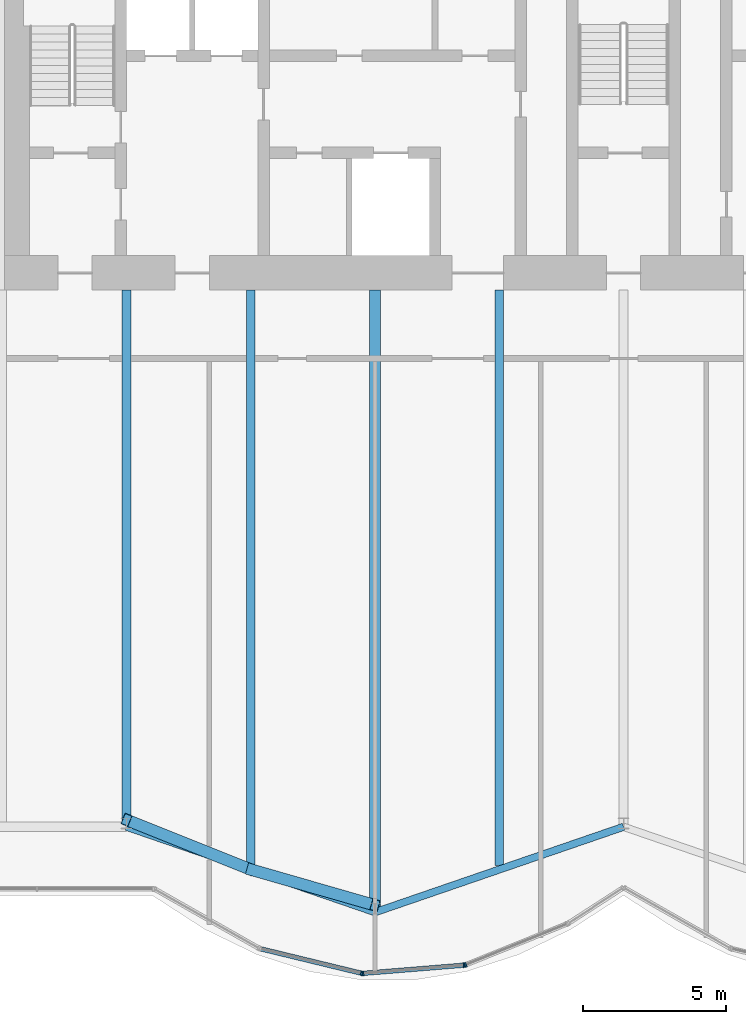
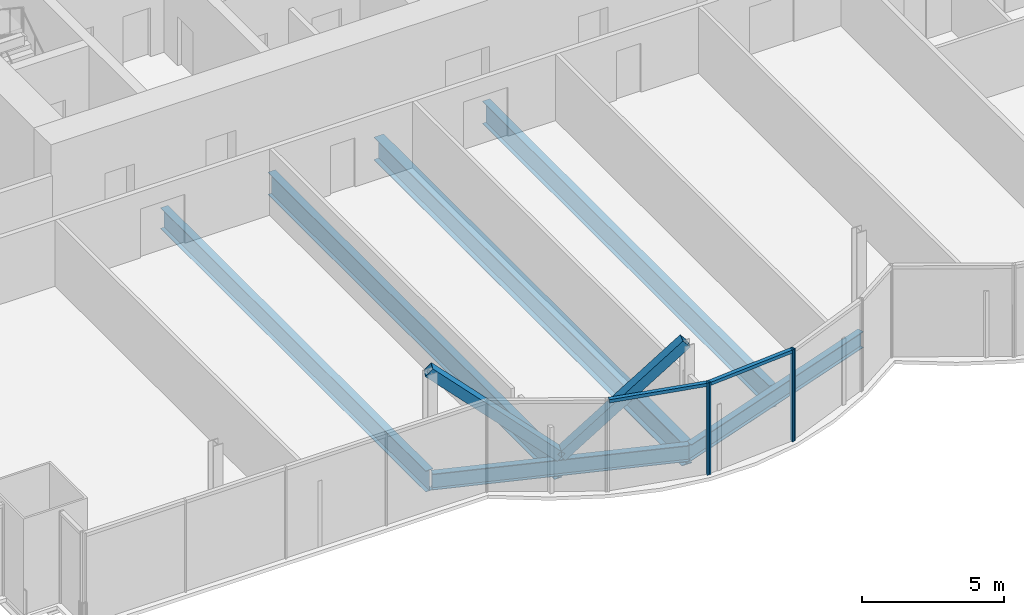
# One storey, part 6 of 21: 8 members, 6 beams, 1 element without a shape of its own.
"""IFC4 building model written with IfcOpenShell, lengths in metres."""

from ifc_helpers import new_model, si_unit, direction, frame, origin, origin_2d, place, context, subcontext, project, spatial, rectangle, hollow_rectangle, i_section, extrude, material, material_profile, profile_set, type_object, element, aggregate, save


model = new_model("IFC4")

# Units and contexts
model_context = context("Model", 3, precision=1e-05, world=origin(), true_north=direction((0.0, 1.0)))
body_context = subcontext(model_context, "Body", "Model", "MODEL_VIEW")
ifc_project = project(units=[si_unit("LENGTHUNIT", "METRE"), si_unit("AREAUNIT", "SQUARE_METRE"), si_unit("VOLUMEUNIT", "CUBIC_METRE"), si_unit("PLANEANGLEUNIT", "RADIAN"), si_unit("MASSUNIT", "GRAM", prefix="KILO")], contexts=[model_context])

# Site, building, storey
site_placement = place(None, origin())
site = spatial("IfcSite", under=ifc_project, at=site_placement, CompositionType="ELEMENT")
building_placement = place(site_placement, origin())
building = spatial("IfcBuilding", under=site, at=building_placement, Name="Bicima Exchange Tower", CompositionType="ELEMENT")
storey_placement = place(building_placement, frame((0.0, 0.0, 173.199951171875)))
storey = spatial("IfcBuildingStorey", under=building, at=storey_placement, Name="L38", CompositionType="ELEMENT", Elevation=173.199951171875)

# Beams
ifc_material_1 = material(Name="Steel ASTM A992 Gr 50", Category="steel")
ifc_material_profile_1 = material_profile(ifc_material_1, i_section(OverallWidth=0.3046875, OverallDepth=0.904296875, WebThickness=0.01513671875, FlangeThickness=0.02001953125, at=origin_2d()))
ifc_profile_set_1 = profile_set([ifc_material_profile_1], Name="Steel ASTM A992 Gr 50")
beam_type_1 = type_object("IfcBeamType", Name="Floor beam W36x135", PredefinedType="JOIST", material=ifc_profile_set_1)
beam_1_placement = place(storey_placement, frame((-17.39990234375, -13.0, -0.60205078125), z_axis=(0.0, -1.0, 0.0), x_axis=(1.0, 0.0, 0.0)))
element("IfcBeam", 1, at=beam_1_placement, inside=storey, type_object=beam_type_1, Name="Floor beam", PredefinedType="JOIST", context=body_context, shape_type="SweptSolid", body=[
    extrude(i_section(OverallWidth=0.3046875, OverallDepth=0.904296875, WebThickness=0.01513671875, FlangeThickness=0.02001953125, at=origin_2d()), origin(), (0.0, 0.0, 1.0), 18.62939453125),
])
ifc_material_profile_2 = material_profile(ifc_material_1, i_section(OverallWidth=0.2998046875, OverallDepth=0.97021484375, WebThickness=0.01611328125, FlangeThickness=0.02099609375, at=origin_2d()))
ifc_profile_set_2 = profile_set([ifc_material_profile_2], Name="Steel ASTM A992 Gr 50")
beam_type_2 = type_object("IfcBeamType", Name="Floor beam W40x149", PredefinedType="JOIST", material=ifc_profile_set_2)
for number, where, z_axis, x_axis, name in (
    (2, (-13.050048828125, -13.0, -0.635009765625), (0.0, -1.0, 0.0), (1.0, 0.0, 0.0), "Floor beam"),
    (3, (-4.35009765625, -13.0, -0.635009765625), (0.0, -1.0, 0.0), (1.0, 0.0, 0.0), "Floor beam"),
):
    element("IfcBeam", number, at=place(storey_placement, frame(where, z_axis=z_axis, x_axis=x_axis)), inside=storey, type_object=beam_type_2, Name=name, PredefinedType="JOIST", context=body_context, shape_type="SweptSolid", body=[
        extrude(i_section(OverallWidth=0.2998046875, OverallDepth=0.97021484375, WebThickness=0.01611328125, FlangeThickness=0.02099609375, at=origin_2d()), origin(), (0.0, 0.0, 1.0), 20.15185546875),
    ])
ifc_material_profile_3 = material_profile(ifc_material_1, i_section(OverallWidth=0.4013671875, OverallDepth=0.990478515625, WebThickness=0.0166015625, FlangeThickness=0.031005859375, at=origin_2d()))
ifc_profile_set_3 = profile_set([ifc_material_profile_3], Name="Steel ASTM A992 Gr 50")
beam_type_3 = type_object("IfcBeamType", Name="Floor beam W40x215", PredefinedType="JOIST", material=ifc_profile_set_3)
beam_2_placement = place(storey_placement, frame((-8.699951171875, -13.0, -0.645263671875), z_axis=(0.0, -1.0, 0.0), x_axis=(1.0, 0.0, 0.0)))
element("IfcBeam", 4, at=beam_2_placement, inside=storey, type_object=beam_type_3, Name="Floor beam", PredefinedType="JOIST", context=body_context, shape_type="SweptSolid", body=[
    extrude(i_section(OverallWidth=0.4013671875, OverallDepth=0.990478515625, WebThickness=0.0166015625, FlangeThickness=0.031005859375, at=origin_2d()), origin(), (0.0, 0.0, 1.0), 21.6474609375),
])
ifc_material_profile_4 = material_profile(ifc_material_1, i_section(OverallWidth=0.256591796875, OverallDepth=0.693359375, WebThickness=0.014404296875, FlangeThickness=0.023681640625, at=origin_2d()))
ifc_profile_set_4 = profile_set([ifc_material_profile_4], Name="Steel ASTM A992 Gr 50")
beam_type_4 = type_object("IfcBeamType", Name="Front girder W27x114", PredefinedType="BEAM", material=ifc_profile_set_4)
for number, where, z_axis, x_axis, name in (
    (5, (-17.39990234375, -31.7919921875, -0.49658203125), (0.945666456746, -0.325138359143, 0.0), (0.325138359143, 0.945666456746, 0.0), "Front girder"),
    (6, (-8.699951171875, -34.783203125, -0.49658203125), (0.945666456746, 0.325138359143, 0.0), (-0.325138359143, 0.945666456746, 0.0), "Front girder"),
):
    element("IfcBeam", number, at=place(storey_placement, frame(where, z_axis=z_axis, x_axis=x_axis)), inside=storey, type_object=beam_type_4, Name=name, PredefinedType="BEAM", context=body_context, shape_type="SweptSolid", body=[
        extrude(i_section(OverallWidth=0.256591796875, OverallDepth=0.693359375, WebThickness=0.014404296875, FlangeThickness=0.023681640625, at=origin_2d()), origin(), (0.0, 0.0, 1.0), 9.19970703125),
    ])

# Curtain wall, members
ifc_material_2 = material(Name="Anodised bronze aluminium", Category="aluminium")
curtain_wall_type = type_object("IfcCurtainWallType", Name="Front glass wall", PredefinedType="NOTDEFINED", material=ifc_material_2)
curtain_wall_placement = place(storey_placement, origin())
curtain_wall = element("IfcCurtainWall", 7, at=curtain_wall_placement, inside=storey, type_object=curtain_wall_type, Name="Front glass wall L38 run 6", PredefinedType="NOTDEFINED")
ifc_material_profile_5 = material_profile(ifc_material_2, rectangle(XDim=0.159912109375, YDim=0.06005859375, at=origin_2d()))
ifc_profile_set_5 = profile_set([ifc_material_profile_5], Name="Anodised bronze aluminium")
member_type_1 = type_object("IfcMemberType", Name="Front glass wall mullion 60 x 160", PredefinedType="MULLION", material=ifc_profile_set_5)
member_1_placement = place(storey_placement, frame((-9.177490234375, -36.91796875, 0.0), z_axis=(0.0, 0.0, 1.0), x_axis=(0.235681529503, 0.971830343553, 0.0)))
member_1 = element("IfcMember", 8, at=member_1_placement, type_object=member_type_1, Name="Front glass wall mullion 2", PredefinedType="MULLION", context=body_context, shape_type="SweptSolid", body=[
    extrude(rectangle(XDim=0.159912109375, YDim=0.06005859375, at=origin_2d()), origin(), (0.0, 0.0, 1.0), 3.949951171875),
])
member_2_placement = place(storey_placement, frame((-9.118408203125, -36.922607421875, 0.0), z_axis=(0.0, 0.0, 1.0), x_axis=(-0.080588612633, 0.99674744821, 0.0)))
member_2 = element("IfcMember", 9, at=member_2_placement, type_object=member_type_1, Name="Front glass wall mullion 1", PredefinedType="MULLION", context=body_context, shape_type="SweptSolid", body=[
    extrude(rectangle(XDim=0.159912109375, YDim=0.06005859375, at=origin_2d()), origin(), (0.0, 0.0, 1.0), 3.949951171875),
])
member_3_placement = place(storey_placement, frame((-5.583984375, -36.63671875, 0.0), z_axis=(0.0, 0.0, 1.0), x_axis=(-0.080588612633, 0.99674744821, 0.0)))
member_3 = element("IfcMember", 10, at=member_3_placement, type_object=member_type_1, Name="Front glass wall mullion 2", PredefinedType="MULLION", context=body_context, shape_type="SweptSolid", body=[
    extrude(rectangle(XDim=0.159912109375, YDim=0.06005859375, at=origin_2d()), origin(), (0.0, 0.0, 1.0), 3.949951171875),
])
member_4_placement = place(storey_placement, frame((-5.526123046875, -36.623291015625, 0.0), z_axis=(0.0, 0.0, 1.0), x_axis=(-0.374705304, 0.92714396679, 0.0)))
member_4 = element("IfcMember", 11, at=member_4_placement, type_object=member_type_1, Name="Front glass wall mullion 1", PredefinedType="MULLION", context=body_context, shape_type="SweptSolid", body=[
    extrude(rectangle(XDim=0.159912109375, YDim=0.06005859375, at=origin_2d()), origin(), (0.0, 0.0, 1.0), 3.949951171875),
])
ifc_material_profile_6 = material_profile(ifc_material_2, rectangle(XDim=0.159912109375, YDim=0.139892578125, at=origin_2d()))
ifc_profile_set_6 = profile_set([ifc_material_profile_6], Name="Anodised bronze aluminium")
member_type_2 = type_object("IfcMemberType", Name="Front glass wall transom 140 x 160", PredefinedType="USERDEFINED", material=ifc_profile_set_6)
member_5_placement = place(storey_placement, frame((-12.68896484375, -36.06640625, 3.880126953125), z_axis=(0.971833557815, -0.235668275132, 0.0), x_axis=(0.235668275132, 0.971833557815, 0.0)))
member_5 = element("IfcMember", 12, at=member_5_placement, type_object=member_type_2, Name="Front glass wall transom 1.1", ObjectType="TRANSOM", PredefinedType="USERDEFINED", context=body_context, shape_type="SweptSolid", body=[
    extrude(rectangle(XDim=0.159912109375, YDim=0.139892578125, at=origin_2d()), origin(), (0.0, 0.0, 1.0), 3.583251953125),
])
member_6_placement = place(storey_placement, frame((-9.08837890625, -36.920166015625, 3.880126953125), z_axis=(0.9967456465, 0.080610893699, 0.0), x_axis=(-0.080610893699, 0.9967456465, 0.0)))
member_6 = element("IfcMember", 13, at=member_6_placement, type_object=member_type_2, Name="Front glass wall transom 1.1", ObjectType="TRANSOM", PredefinedType="USERDEFINED", context=body_context, shape_type="SweptSolid", body=[
    extrude(rectangle(XDim=0.159912109375, YDim=0.139892578125, at=origin_2d()), origin(), (0.0, 0.0, 1.0), 3.48583984375),
])
aggregate(curtain_wall, [member_1, member_5, member_2, member_3, member_6, member_4])

# Members
ifc_material_3 = material(Name="Steel ASTM A572 Gr 50", Category="steel")
ifc_material_profile_7 = material_profile(ifc_material_3, hollow_rectangle(XDim=0.406494140625, YDim=0.406494140625, WallThickness=0.017822265625, at=origin_2d()))
ifc_profile_set_7 = profile_set([ifc_material_profile_7], Name="Steel ASTM A572 Gr 50")
member_type_3 = type_object("IfcMemberType", Name="Mega brace HSS16x16x3/4", PredefinedType="BRACE", material=ifc_profile_set_7)
member_7_placement = place(storey_placement, frame((-13.050048828125, -33.28759765625, 0.0), z_axis=(0.712266893938, -0.204909647453, 0.671332933931), x_axis=(0.276473064615, 0.961021667052, 0.0)))
element("IfcMember", 14, at=member_7_placement, inside=storey, type_object=member_type_3, Name="Mega brace front", PredefinedType="BRACE", context=body_context, shape_type="SweptSolid", body=[
    extrude(hollow_rectangle(XDim=0.406494140625, YDim=0.406494140625, WallThickness=0.017822265625, at=origin_2d()), origin(), (0.0, 0.0, 1.0), 6.107421875),
])
member_8_placement = place(storey_placement, frame((-13.050048828125, -33.28759765625, 0.0), z_axis=(-0.69870612412, 0.279411861388, 0.658588463179), x_axis=(-0.371309808925, -0.928509033772, 0.0)))
element("IfcMember", 15, at=member_8_placement, inside=storey, type_object=member_type_3, Name="Mega brace front", PredefinedType="BRACE", context=body_context, shape_type="SweptSolid", body=[
    extrude(hollow_rectangle(XDim=0.406494140625, YDim=0.406494140625, WallThickness=0.017822265625, at=origin_2d()), origin(), (0.0, 0.0, 1.0), 6.2255859375),
])

save(model, "model.ifc")
